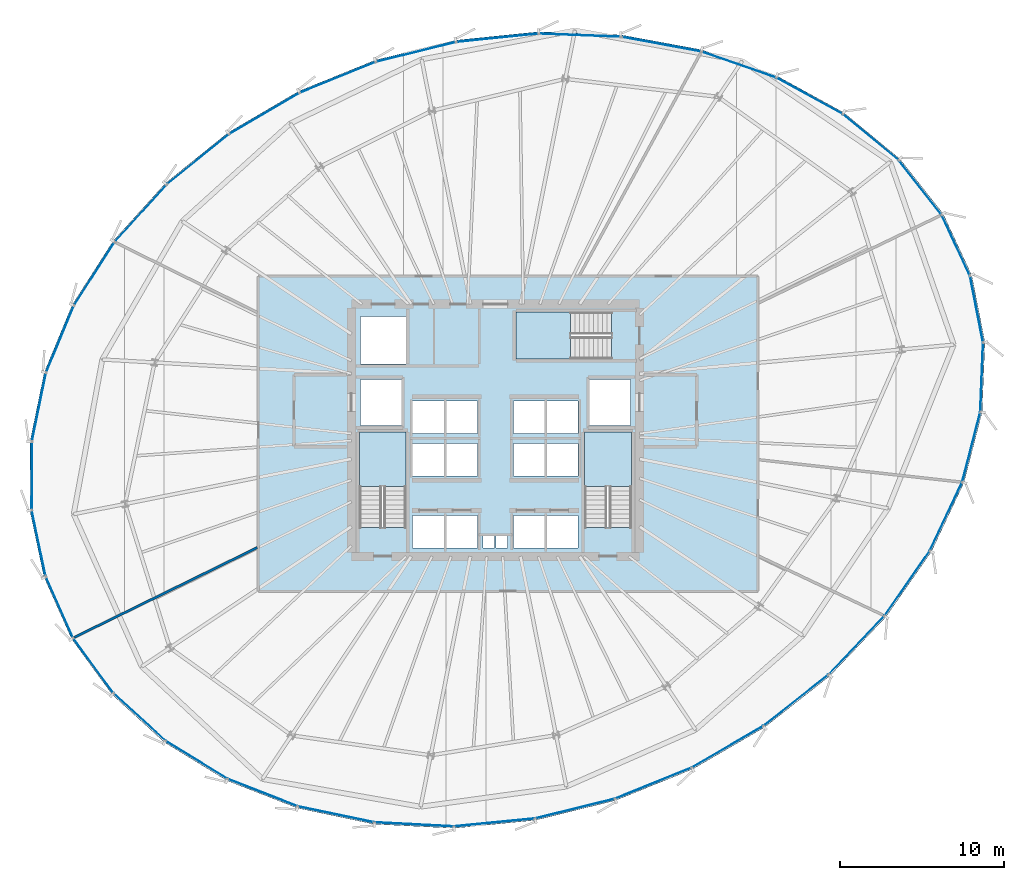
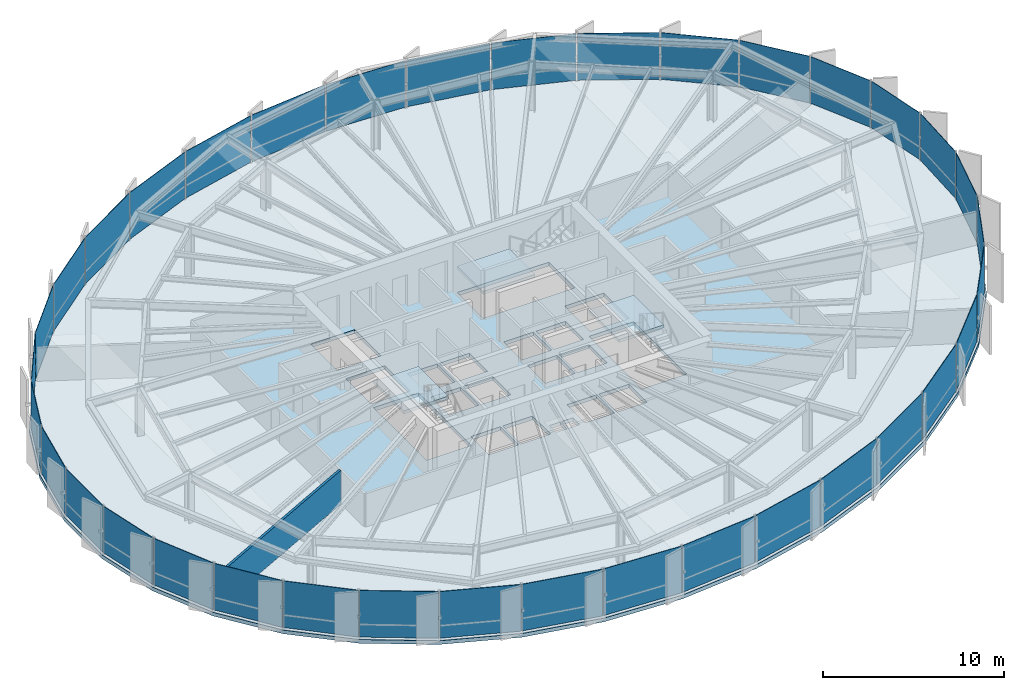
# One storey, part 28 of 35: 36 plates, 4 slabs, 1 wall, 9 elements without a shape of their own.
"""IFC4 building model written with IfcOpenShell, lengths in metres."""

from ifc_helpers import new_model, si_unit, direction, frame, frame_2d, origin, origin_2d, place, context, subcontext, project, spatial, polyline, rectangle, outline, extrude, source, transform, mapped, material, layer, layer_set, type_object, element, aggregate, save


model = new_model("IFC4")

# Units and contexts
model_context = context("Model", 3, precision=1e-05, world=origin(), true_north=direction((0.0, 1.0)))
body_context = subcontext(model_context, "Body", "Model", "MODEL_VIEW")
ifc_project = project(units=[si_unit("LENGTHUNIT", "METRE"), si_unit("AREAUNIT", "SQUARE_METRE"), si_unit("VOLUMEUNIT", "CUBIC_METRE"), si_unit("PLANEANGLEUNIT", "RADIAN"), si_unit("MASSUNIT", "GRAM", prefix="KILO"), si_unit("THERMODYNAMICTEMPERATUREUNIT", "KELVIN")], contexts=[model_context])

# Site, building, storey
site_placement = place(None, origin())
site = spatial("IfcSite", under=ifc_project, at=site_placement, CompositionType="ELEMENT")
building_placement = place(site_placement, origin())
building = spatial("IfcBuilding", under=site, at=building_placement, Name="Kethvar Cultural Tower", CompositionType="ELEMENT")
storey_placement = place(building_placement, frame((0.0, 0.0, 107.199951171875)))
storey = spatial("IfcBuildingStorey", under=building, at=storey_placement, Name="L26", CompositionType="ELEMENT", Elevation=107.199951171875)

# Stair, slab
ifc_material_1 = material(Name="Concrete C40/50", Category="concrete")
stair_type = type_object("IfcStairType", Name="ST-DOGLEG-135", PredefinedType="HALF_TURN_STAIR", material=ifc_material_1)
stair_1_placement = place(storey_placement, origin())
stair_1 = element("IfcStair", 1, at=stair_1_placement, inside=storey, type_object=stair_type, Name="L26 Core Exit Stair 1", PredefinedType="HALF_TURN_STAIR")
ifc_layer_1 = layer(ifc_material_1, 0.199951171875, Name="Concrete C40/50", Category="concrete")
ifc_layer_set_1 = layer_set([ifc_layer_1], Name="Concrete C40/50 (200 mm)")
slab_type_1 = type_object("IfcSlabType", Name="SL-STAIR-LANDING-200", PredefinedType="LANDING", material=ifc_layer_set_1)
slab_1_placement = place(storey_placement, frame((0.0, 0.0, 1.60009765625)))
slab_1 = element("IfcSlab", 2, at=slab_1_placement, type_object=slab_type_1, Name="ST-01 landing 1", PredefinedType="LANDING", context=body_context, shape_type="SweptSolid", body=[
    extrude(outline(polyline([(41.35009765625, 24.3701171875), (41.35009765625, 27.699951171875), (38.489990234375, 27.699951171875), (38.489990234375, 24.3701171875), (41.35009765625, 24.3701171875)])), origin(), (0.0, 0.0, 1.0), 0.199951171875),
])
aggregate(stair_1, [slab_1])

stair_2_placement = place(storey_placement, origin())
stair_2 = element("IfcStair", 3, at=stair_2_placement, inside=storey, type_object=stair_type, Name="L26 Core Exit Stair 2", PredefinedType="HALF_TURN_STAIR")
slab_2_placement = place(storey_placement, frame((0.0, 0.0, 1.60009765625)))
slab_2 = element("IfcSlab", 4, at=slab_2_placement, type_object=slab_type_1, Name="ST-02 landing 1", PredefinedType="LANDING", context=body_context, shape_type="SweptSolid", body=[
    extrude(outline(polyline([(55.110107421875, 24.3701171875), (55.110107421875, 27.699951171875), (52.25, 27.699951171875), (52.25, 24.3701171875), (55.110107421875, 24.3701171875)])), origin(), (0.0, 0.0, 1.0), 0.199951171875),
])
aggregate(stair_2, [slab_2])

stair_3_placement = place(storey_placement, origin())
stair_3 = element("IfcStair", 5, at=stair_3_placement, inside=storey, type_object=stair_type, Name="L26 Core Exit Stair 3", PredefinedType="HALF_TURN_STAIR")
slab_3_placement = place(storey_placement, frame((0.0, 0.0, 1.60009765625)))
slab_3 = element("IfcSlab", 6, at=slab_3_placement, type_object=slab_type_1, Name="ST-03 landing 1", PredefinedType="LANDING", context=body_context, shape_type="SweptSolid", body=[
    extrude(outline(polyline([(51.3798828125, 35.010009765625), (48.050048828125, 35.010009765625), (48.050048828125, 32.14990234375), (51.3798828125, 32.14990234375), (51.3798828125, 35.010009765625)])), origin(), (0.0, 0.0, 1.0), 0.199951171875),
])
aggregate(stair_3, [slab_3])

# Slab
ifc_layer_2 = layer(ifc_material_1, 0.25, Name="Concrete C40/50", Category="concrete")
ifc_layer_set_2 = layer_set([ifc_layer_2], Name="Concrete C40/50 (250 mm)")
slab_type_2 = type_object("IfcSlabType", Name="SL-TOW-250", PredefinedType="FLOOR", material=ifc_layer_set_2)
slab_4_placement = place(storey_placement, frame((0.0, 0.0, -0.25)))
element("IfcSlab", 7, at=slab_4_placement, inside=storey, type_object=slab_type_2, Name="L26 Structural Floor Slab", PredefinedType="FLOOR", context=body_context, shape_type="SweptSolid", body=[
    extrude(outline(polyline([(75.894775390625, 37.25341796875), (74.143310546875, 41.02392578125), (71.500732421875, 44.372802734375), (68.06884765625, 47.205810546875), (63.98291015625, 49.4462890625), (59.401611328125, 51.0380859375), (54.4951171875, 51.9423828125), (49.43310546875, 52.138427734375), (44.374267578125, 51.622314453125), (39.45556640625, 50.40380859375), (34.779296875, 48.504638671875), (30.468017578125, 45.976318359375), (26.653076171875, 42.89599609375), (23.4501953125, 39.356689453125), (20.956787109375, 35.46630859375), (19.248779296875, 31.343017578125), (18.3779296875, 27.1123046875), (18.37060546875, 22.902099609375), (19.226806640625, 18.841064453125), (20.921142578125, 15.052001953125), (23.401611328125, 11.650390625), (26.59326171875, 8.739501953125), (30.398681640625, 6.40771484375), (34.702392578125, 4.725830078125), (39.373779296875, 3.7451171875), (44.27099609375, 3.495361328125), (49.244873046875, 3.98388671875), (54.144287109375, 5.1962890625), (58.83984375, 7.1015625), (63.236083984375, 9.657470703125), (67.216064453125, 12.79150390625), (70.65380859375, 16.406982421875), (73.424560546875, 20.3876953125), (75.4130859375, 24.60205078125), (76.524658203125, 28.910888671875), (76.694091796875, 33.173583984375), (75.894775390625, 37.25341796875)]), holes=[polyline([(38.489990234375, 21.85009765625), (38.489990234375, 27.699951171875), (41.35009765625, 27.699951171875), (41.35009765625, 21.85009765625), (38.489990234375, 21.85009765625)]), polyline([(52.25, 21.85009765625), (52.25, 27.699951171875), (55.110107421875, 27.699951171875), (55.110107421875, 21.85009765625), (52.25, 21.85009765625)]), polyline([(53.89990234375, 32.14990234375), (48.050048828125, 32.14990234375), (48.050048828125, 35.010009765625), (53.89990234375, 35.010009765625), (53.89990234375, 32.14990234375)]), polyline([(41.75, 22.60009765625), (43.64990234375, 22.60009765625), (43.64990234375, 20.60009765625), (41.75, 20.60009765625), (41.75, 22.60009765625)]), polyline([(43.800048828125, 22.60009765625), (45.699951171875, 22.60009765625), (45.699951171875, 20.60009765625), (43.800048828125, 20.60009765625), (43.800048828125, 22.60009765625)]), polyline([(47.89990234375, 22.60009765625), (49.800048828125, 22.60009765625), (49.800048828125, 20.60009765625), (47.89990234375, 20.60009765625), (47.89990234375, 22.60009765625)]), polyline([(49.949951171875, 22.60009765625), (51.85009765625, 22.60009765625), (51.85009765625, 20.60009765625), (49.949951171875, 20.60009765625), (49.949951171875, 22.60009765625)]), polyline([(41.75, 27.0), (43.64990234375, 27.0), (43.64990234375, 25.0), (41.75, 25.0), (41.75, 27.0)]), polyline([(43.800048828125, 27.0), (45.699951171875, 27.0), (45.699951171875, 25.0), (43.800048828125, 25.0), (43.800048828125, 27.0)]), polyline([(47.89990234375, 27.0), (49.800048828125, 27.0), (49.800048828125, 25.0), (47.89990234375, 25.0), (47.89990234375, 27.0)]), polyline([(49.949951171875, 27.0), (51.85009765625, 27.0), (51.85009765625, 25.0), (49.949951171875, 25.0), (49.949951171875, 27.0)]), polyline([(41.75, 29.60009765625), (43.64990234375, 29.60009765625), (43.64990234375, 27.60009765625), (41.75, 27.60009765625), (41.75, 29.60009765625)]), polyline([(43.800048828125, 29.60009765625), (45.699951171875, 29.60009765625), (45.699951171875, 27.60009765625), (43.800048828125, 27.60009765625), (43.800048828125, 29.60009765625)]), polyline([(47.89990234375, 29.60009765625), (49.800048828125, 29.60009765625), (49.800048828125, 27.60009765625), (47.89990234375, 27.60009765625), (47.89990234375, 29.60009765625)]), polyline([(49.949951171875, 29.60009765625), (51.85009765625, 29.60009765625), (51.85009765625, 27.60009765625), (49.949951171875, 27.60009765625), (49.949951171875, 29.60009765625)]), polyline([(38.550048828125, 30.89990234375), (41.050048828125, 30.89990234375), (41.050048828125, 28.10009765625), (38.550048828125, 28.10009765625), (38.550048828125, 30.89990234375)]), polyline([(52.550048828125, 30.89990234375), (55.050048828125, 30.89990234375), (55.050048828125, 28.10009765625), (52.550048828125, 28.10009765625), (52.550048828125, 30.89990234375)]), polyline([(38.550048828125, 34.75), (41.35009765625, 34.75), (41.35009765625, 31.85009765625), (38.550048828125, 31.85009765625), (38.550048828125, 34.75)]), polyline([(46.050048828125, 21.35009765625), (46.75, 21.35009765625), (46.75, 20.60009765625), (46.050048828125, 20.60009765625), (46.050048828125, 21.35009765625)]), polyline([(46.85009765625, 21.35009765625), (47.550048828125, 21.35009765625), (47.550048828125, 20.60009765625), (46.85009765625, 20.60009765625), (46.85009765625, 21.35009765625)])]), origin(), (0.0, 0.0, 1.0), 0.25),
])

# Curtain wall, plate
ifc_material_2 = material(Name="Aluminium 6063-T6", Category="aluminium")
ifc_layer_3 = layer(ifc_material_2, 0.179931640625, Name="Aluminium 6063-T6", Category="aluminium")
ifc_layer_set_3 = layer_set([ifc_layer_3], Name="Aluminium 6063-T6 (180 mm)")
curtain_wall_type = type_object("IfcCurtainWallType", Name="CW-SYS-03-Z2", PredefinedType="NOTDEFINED", material=ifc_layer_set_3)
curtain_wall_1_placement = place(storey_placement, origin())
curtain_wall_1 = element("IfcCurtainWall", 8, at=curtain_wall_1_placement, inside=storey, type_object=curtain_wall_type, Name="L26 Curtain Wall Run 02", PredefinedType="NOTDEFINED")
ifc_material_3 = material(Name="Insulated Low-E Solar Glass", Category="glass")
ifc_layer_4 = layer(ifc_material_3, 0.031982421875, Name="Insulated Low-E Solar Glass", Category="glass")
ifc_layer_set_4 = layer_set([ifc_layer_4], Name="Insulated Low-E Solar Glass (32 mm)")
plate_type = type_object("IfcPlateType", Name="CW-SYS-03-Z2-PNL", PredefinedType="CURTAIN_PANEL", material=ifc_layer_set_4)
shared_shape_1 = source(origin(), body_context, "Body", "SweptSolid", [
    extrude(rectangle(XDim=4.9609375, YDim=0.031982421875, at=origin_2d()), origin(), (0.0, 0.0, 1.0), 3.14990234375),
])
plate_1_placement = place(storey_placement, frame((37.16064453125, 49.34765625, 0.10009765625), z_axis=(0.0, 0.0, 1.0), x_axis=(-0.926515497603, -0.376256604861, 0.0)))
plate_1 = element("IfcPlate", 9, at=plate_1_placement, type_object=plate_type, Name="CW-L26-R02 Vision Glazing Panel 4", PredefinedType="CURTAIN_PANEL", context=body_context, shape_type="MappedRepresentation", body=[
    mapped(shared_shape_1, transform((0.0, 0.0, 0.0), scale=1.0)),
])

curtain_wall_2_placement = place(storey_placement, origin())
curtain_wall_2 = element("IfcCurtainWall", 10, at=curtain_wall_2_placement, inside=storey, type_object=curtain_wall_type, Name="L26 Curtain Wall Run 05", PredefinedType="NOTDEFINED")
plate_2_placement = place(storey_placement, frame((51.6669921875, 4.701904296875, 0.10009765625), z_axis=(0.0, 0.0, 1.0), x_axis=(0.970729058558, 0.240177215552, 0.0)))
plate_2 = element("IfcPlate", 11, at=plate_2_placement, type_object=plate_type, Name="CW-L26-R05 Vision Glazing Panel 3", PredefinedType="CURTAIN_PANEL", context=body_context, shape_type="MappedRepresentation", body=[
    mapped(shared_shape_1, transform((0.0, 0.0, 0.0), scale=1.0)),
])

# Curtain wall, plates
curtain_wall_3_placement = place(storey_placement, origin())
curtain_wall_3 = element("IfcCurtainWall", 12, at=curtain_wall_3_placement, inside=storey, type_object=curtain_wall_type, Name="L26 Curtain Wall Run 01", PredefinedType="NOTDEFINED")
shared_shape_2 = source(origin(), body_context, "Body", "SweptSolid", [
    extrude(rectangle(XDim=4.071044921875, YDim=0.031982421875, at=origin_2d()), origin(), (0.0, 0.0, 1.0), 3.14990234375),
])
plate_3_placement = place(storey_placement, frame((74.914794921875, 39.090087890625, 0.10009765625), z_axis=(0.0, 0.0, 1.0), x_axis=(-0.421273262504, 0.906933756291, 0.0)))
plate_3 = element("IfcPlate", 13, at=plate_3_placement, type_object=plate_type, Name="CW-L26-R01 Vision Glazing Panel 1", PredefinedType="CURTAIN_PANEL", context=body_context, shape_type="MappedRepresentation", body=[
    mapped(shared_shape_2, transform((0.0, 0.0, 0.0), scale=1.0)),
])
shared_shape_3 = source(origin(), body_context, "Body", "SweptSolid", [
    extrude(rectangle(XDim=4.1796875, YDim=0.031982421875, at=origin_2d()), origin(), (0.0, 0.0, 1.0), 3.14990234375),
])
plate_4_placement = place(storey_placement, frame((72.731689453125, 42.627197265625, 0.10009765625), z_axis=(0.0, 0.0, 1.0), x_axis=(-0.619450251074, 0.785035914111, 0.0)))
plate_4 = element("IfcPlate", 14, at=plate_4_placement, type_object=plate_type, Name="CW-L26-R01 Vision Glazing Panel 2", PredefinedType="CURTAIN_PANEL", context=body_context, shape_type="MappedRepresentation", body=[
    mapped(shared_shape_3, transform((0.0, 0.0, 0.0), scale=1.0)),
])

# Curtain wall, plate
curtain_wall_4_placement = place(storey_placement, origin())
curtain_wall_4 = element("IfcCurtainWall", 15, at=curtain_wall_4_placement, inside=storey, type_object=curtain_wall_type, Name="L26 Curtain Wall Run 06", PredefinedType="NOTDEFINED")
plate_5_placement = place(storey_placement, frame((76.494384765625, 31.046875, 0.10009765625), z_axis=(0.0, 0.0, 1.0), x_axis=(0.039713247455, 0.999211117821, 0.0)))
plate_5 = element("IfcPlate", 16, at=plate_5_placement, type_object=plate_type, Name="CW-L26-R06 Vision Glazing Panel 5", PredefinedType="CURTAIN_PANEL", context=body_context, shape_type="MappedRepresentation", body=[
    mapped(shared_shape_3, transform((0.0, 0.0, 0.0), scale=1.0)),
])

# Plate
shared_shape_4 = source(origin(), body_context, "Body", "SweptSolid", [
    extrude(rectangle(XDim=4.36376953125, YDim=0.031982421875, at=origin_2d()), origin(), (0.0, 0.0, 1.0), 3.14990234375),
])
plate_6_placement = place(storey_placement, frame((69.711669921875, 45.70068359375, 0.10009765625), z_axis=(0.0, 0.0, 1.0), x_axis=(-0.771213661132, 0.636576381028, 0.0)))
plate_6 = element("IfcPlate", 17, at=plate_6_placement, type_object=plate_type, Name="CW-L26-R01 Vision Glazing Panel 3", PredefinedType="CURTAIN_PANEL", context=body_context, shape_type="MappedRepresentation", body=[
    mapped(shared_shape_4, transform((0.0, 0.0, 0.0), scale=1.0)),
])

shared_shape_5 = source(origin(), body_context, "Body", "SweptSolid", [
    extrude(rectangle(XDim=4.573486328125, YDim=0.031982421875, at=origin_2d()), origin(), (0.0, 0.0, 1.0), 3.14990234375),
])
plate_7_placement = place(storey_placement, frame((65.970703125, 48.22509765625, 0.10009765625), z_axis=(0.0, 0.0, 1.0), x_axis=(-0.876819082764, 0.480820440602, 0.0)))
plate_7 = element("IfcPlate", 18, at=plate_7_placement, type_object=plate_type, Name="CW-L26-R01 Vision Glazing Panel 4", PredefinedType="CURTAIN_PANEL", context=body_context, shape_type="MappedRepresentation", body=[
    mapped(shared_shape_5, transform((0.0, 0.0, 0.0), scale=1.0)),
])

shared_shape_6 = source(origin(), body_context, "Body", "SweptSolid", [
    extrude(rectangle(XDim=4.763671875, YDim=0.031982421875, at=origin_2d()), origin(), (0.0, 0.0, 1.0), 3.14990234375),
])
plate_8_placement = place(storey_placement, frame((61.654541015625, 50.133544921875, 0.10009765625), z_axis=(0.0, 0.0, 1.0), x_axis=(-0.944611460465, 0.328190781038, 0.0)))
plate_8 = element("IfcPlate", 19, at=plate_8_placement, type_object=plate_type, Name="CW-L26-R01 Vision Glazing Panel 5", PredefinedType="CURTAIN_PANEL", context=body_context, shape_type="MappedRepresentation", body=[
    mapped(shared_shape_6, transform((0.0, 0.0, 0.0), scale=1.0)),
])

shared_shape_7 = source(origin(), body_context, "Body", "SweptSolid", [
    extrude(rectangle(XDim=4.90283203125, YDim=0.031982421875, at=origin_2d()), origin(), (0.0, 0.0, 1.0), 3.14990234375),
])
plate_9_placement = place(storey_placement, frame((56.927490234375, 51.376953125, 0.10009765625), z_axis=(0.0, 0.0, 1.0), x_axis=(-0.983435715736, 0.181257256449, 0.0)))
plate_9 = element("IfcPlate", 20, at=plate_9_placement, type_object=plate_type, Name="CW-L26-R01 Vision Glazing Panel 6", PredefinedType="CURTAIN_PANEL", context=body_context, shape_type="MappedRepresentation", body=[
    mapped(shared_shape_7, transform((0.0, 0.0, 0.0), scale=1.0)),
])

aggregate(curtain_wall_3, [plate_3, plate_4, plate_6, plate_7, plate_8, plate_9])

shared_shape_8 = source(origin(), body_context, "Body", "SweptSolid", [
    extrude(rectangle(XDim=4.979248046875, YDim=0.031982421875, at=origin_2d()), origin(), (0.0, 0.0, 1.0), 3.14990234375),
])
plate_10_placement = place(storey_placement, frame((51.959716796875, 51.925537109375, 0.10009765625), z_axis=(0.0, 0.0, 1.0), x_axis=(-0.999249455659, 0.038736615301, 0.0)))
plate_10 = element("IfcPlate", 21, at=plate_10_placement, type_object=plate_type, Name="CW-L26-R02 Vision Glazing Panel 1", PredefinedType="CURTAIN_PANEL", context=body_context, shape_type="MappedRepresentation", body=[
    mapped(shared_shape_8, transform((0.0, 0.0, 0.0), scale=1.0)),
])

plate_11_placement = place(storey_placement, frame((65.15478515625, 11.314697265625, 0.10009765625), z_axis=(0.0, 0.0, 1.0), x_axis=(0.78565177798, 0.618668961365, 0.0)))
plate_11 = element("IfcPlate", 22, at=plate_11_placement, type_object=plate_type, Name="CW-L26-R05 Vision Glazing Panel 6", PredefinedType="CURTAIN_PANEL", context=body_context, shape_type="MappedRepresentation", body=[
    mapped(shared_shape_8, transform((0.0, 0.0, 0.0), scale=1.0)),
])

shared_shape_9 = source(origin(), body_context, "Body", "SweptSolid", [
    extrude(rectangle(XDim=4.998779296875, YDim=0.031982421875, at=origin_2d()), origin(), (0.0, 0.0, 1.0), 3.14990234375),
])
plate_12_placement = place(storey_placement, frame((46.915283203125, 51.76611328125, 0.10009765625), z_axis=(0.0, 0.0, 1.0), x_axis=(-0.994832976708, -0.101525112434, 0.0)))
plate_12 = element("IfcPlate", 23, at=plate_12_placement, type_object=plate_type, Name="CW-L26-R02 Vision Glazing Panel 2", PredefinedType="CURTAIN_PANEL", context=body_context, shape_type="MappedRepresentation", body=[
    mapped(shared_shape_9, transform((0.0, 0.0, 0.0), scale=1.0)),
])

plate_13_placement = place(storey_placement, frame((60.980224609375, 8.47900390625, 0.10009765625), z_axis=(0.0, 0.0, 1.0), x_axis=(0.864511748547, 0.502612610888, 0.0)))
plate_13 = element("IfcPlate", 24, at=plate_13_placement, type_object=plate_type, Name="CW-L26-R05 Vision Glazing Panel 5", PredefinedType="CURTAIN_PANEL", context=body_context, shape_type="MappedRepresentation", body=[
    mapped(shared_shape_9, transform((0.0, 0.0, 0.0), scale=1.0)),
])

shared_shape_10 = source(origin(), body_context, "Body", "SweptSolid", [
    extrude(rectangle(XDim=4.98095703125, YDim=0.031982421875, at=origin_2d()), origin(), (0.0, 0.0, 1.0), 3.14990234375),
])
plate_14_placement = place(storey_placement, frame((41.942626953125, 50.9013671875, 0.10009765625), z_axis=(0.0, 0.0, 1.0), x_axis=(-0.970657753816, -0.240465226085, 0.0)))
plate_14 = element("IfcPlate", 25, at=plate_14_placement, type_object=plate_type, Name="CW-L26-R02 Vision Glazing Panel 3", PredefinedType="CURTAIN_PANEL", context=body_context, shape_type="MappedRepresentation", body=[
    mapped(shared_shape_10, transform((0.0, 0.0, 0.0), scale=1.0)),
])

plate_15_placement = place(storey_placement, frame((56.448974609375, 6.255615234375, 0.10009765625), z_axis=(0.0, 0.0, 1.0), x_axis=(0.926620532141, 0.375997858257, 0.0)))
plate_15 = element("IfcPlate", 26, at=plate_15_placement, type_object=plate_type, Name="CW-L26-R05 Vision Glazing Panel 4", PredefinedType="CURTAIN_PANEL", context=body_context, shape_type="MappedRepresentation", body=[
    mapped(shared_shape_10, transform((0.0, 0.0, 0.0), scale=1.0)),
])

shared_shape_11 = source(origin(), body_context, "Body", "SweptSolid", [
    extrude(rectangle(XDim=4.911376953125, YDim=0.031982421875, at=origin_2d()), origin(), (0.0, 0.0, 1.0), 3.14990234375),
])
plate_16_placement = place(storey_placement, frame((32.681884765625, 47.141357421875, 0.10009765625), z_axis=(0.0, 0.0, 1.0), x_axis=(-0.862619633753, -0.505853108583, 0.0)))
plate_16 = element("IfcPlate", 27, at=plate_16_placement, type_object=plate_type, Name="CW-L26-R02 Vision Glazing Panel 5", PredefinedType="CURTAIN_PANEL", context=body_context, shape_type="MappedRepresentation", body=[
    mapped(shared_shape_11, transform((0.0, 0.0, 0.0), scale=1.0)),
])

shared_shape_12 = source(origin(), body_context, "Body", "SweptSolid", [
    extrude(rectangle(XDim=4.81689453125, YDim=0.031982421875, at=origin_2d()), origin(), (0.0, 0.0, 1.0), 3.14990234375),
])
plate_17_placement = place(storey_placement, frame((28.6328125, 44.3466796875, 0.10009765625), z_axis=(0.0, 0.0, 1.0), x_axis=(-0.778023900658, -0.628234677493, 0.0)))
plate_17 = element("IfcPlate", 28, at=plate_17_placement, type_object=plate_type, Name="CW-L26-R02 Vision Glazing Panel 6", PredefinedType="CURTAIN_PANEL", context=body_context, shape_type="MappedRepresentation", body=[
    mapped(shared_shape_12, transform((0.0, 0.0, 0.0), scale=1.0)),
])

aggregate(curtain_wall_1, [plate_10, plate_12, plate_14, plate_1, plate_16, plate_17])

plate_18_placement = place(storey_placement, frame((41.828125, 3.735107421875, 0.10009765625), z_axis=(0.0, 0.0, 1.0), x_axis=(0.998701636071, -0.050941555809, 0.0)))
plate_18 = element("IfcPlate", 29, at=plate_18_placement, type_object=plate_type, Name="CW-L26-R05 Vision Glazing Panel 1", PredefinedType="CURTAIN_PANEL", context=body_context, shape_type="MappedRepresentation", body=[
    mapped(shared_shape_12, transform((0.0, 0.0, 0.0), scale=1.0)),
])

# Curtain wall, plate
curtain_wall_5_placement = place(storey_placement, origin())
curtain_wall_5 = element("IfcCurtainWall", 30, at=curtain_wall_5_placement, inside=storey, type_object=curtain_wall_type, Name="L26 Curtain Wall Run 03", PredefinedType="NOTDEFINED")
shared_shape_13 = source(origin(), body_context, "Body", "SweptSolid", [
    extrude(rectangle(XDim=4.686767578125, YDim=0.031982421875, at=origin_2d()), origin(), (0.0, 0.0, 1.0), 3.14990234375),
])
plate_19_placement = place(storey_placement, frame((25.136962890625, 41.049072265625, 0.10009765625), z_axis=(0.0, 0.0, 1.0), x_axis=(-0.670996217756, -0.741460771557, 0.0)))
plate_19 = element("IfcPlate", 31, at=plate_19_placement, type_object=plate_type, Name="CW-L26-R03 Vision Glazing Panel 1", PredefinedType="CURTAIN_PANEL", context=body_context, shape_type="MappedRepresentation", body=[
    mapped(shared_shape_13, transform((0.0, 0.0, 0.0), scale=1.0)),
])

curtain_wall_6_placement = place(storey_placement, origin())
curtain_wall_6 = element("IfcCurtainWall", 32, at=curtain_wall_6_placement, inside=storey, type_object=curtain_wall_type, Name="L26 Curtain Wall Run 04", PredefinedType="NOTDEFINED")
plate_20_placement = place(storey_placement, frame((37.061767578125, 4.347900390625, 0.10009765625), z_axis=(0.0, 0.0, 1.0), x_axis=(0.97866705, -0.205452683711, 0.0)))
plate_20 = element("IfcPlate", 33, at=plate_20_placement, type_object=plate_type, Name="CW-L26-R04 Vision Glazing Panel 6", PredefinedType="CURTAIN_PANEL", context=body_context, shape_type="MappedRepresentation", body=[
    mapped(shared_shape_13, transform((0.0, 0.0, 0.0), scale=1.0)),
])

# Plate
shared_shape_14 = source(origin(), body_context, "Body", "SweptSolid", [
    extrude(rectangle(XDim=4.534423828125, YDim=0.031982421875, at=origin_2d()), origin(), (0.0, 0.0, 1.0), 3.14990234375),
])
plate_21_placement = place(storey_placement, frame((22.30029296875, 37.349609375, 0.10009765625), z_axis=(0.0, 0.0, 1.0), x_axis=(-0.539593927352, -0.841925408552, 0.0)))
plate_21 = element("IfcPlate", 34, at=plate_21_placement, type_object=plate_type, Name="CW-L26-R03 Vision Glazing Panel 2", PredefinedType="CURTAIN_PANEL", context=body_context, shape_type="MappedRepresentation", body=[
    mapped(shared_shape_14, transform((0.0, 0.0, 0.0), scale=1.0)),
])

shared_shape_15 = source(origin(), body_context, "Body", "SweptSolid", [
    extrude(rectangle(XDim=4.376708984375, YDim=0.031982421875, at=origin_2d()), origin(), (0.0, 0.0, 1.0), 3.14990234375),
])
plate_22_placement = place(storey_placement, frame((20.208984375, 33.360595703125, 0.10009765625), z_axis=(0.0, 0.0, 1.0), x_axis=(-0.382715681611, -0.923866173777, 0.0)))
plate_22 = element("IfcPlate", 35, at=plate_22_placement, type_object=plate_type, Name="CW-L26-R03 Vision Glazing Panel 3", PredefinedType="CURTAIN_PANEL", context=body_context, shape_type="MappedRepresentation", body=[
    mapped(shared_shape_15, transform((0.0, 0.0, 0.0), scale=1.0)),
])

plate_23_placement = place(storey_placement, frame((28.555908203125, 7.67138671875, 0.10009765625), z_axis=(0.0, 0.0, 1.0), x_axis=(0.852658402475, -0.522468801641, 0.0)))
plate_23 = element("IfcPlate", 36, at=plate_23_placement, type_object=plate_type, Name="CW-L26-R04 Vision Glazing Panel 4", PredefinedType="CURTAIN_PANEL", context=body_context, shape_type="MappedRepresentation", body=[
    mapped(shared_shape_15, transform((0.0, 0.0, 0.0), scale=1.0)),
])

shared_shape_16 = source(origin(), body_context, "Body", "SweptSolid", [
    extrude(rectangle(XDim=4.233154296875, YDim=0.031982421875, at=origin_2d()), origin(), (0.0, 0.0, 1.0), 3.14990234375),
])
plate_24_placement = place(storey_placement, frame((18.926025390625, 29.20458984375, 0.10009765625), z_axis=(0.0, 0.0, 1.0), x_axis=(-0.201607892903, -0.9794663126, 0.0)))
plate_24 = element("IfcPlate", 37, at=plate_24_placement, type_object=plate_type, Name="CW-L26-R03 Vision Glazing Panel 4", PredefinedType="CURTAIN_PANEL", context=body_context, shape_type="MappedRepresentation", body=[
    mapped(shared_shape_16, transform((0.0, 0.0, 0.0), scale=1.0)),
])

plate_25_placement = place(storey_placement, frame((25.074951171875, 10.27978515625, 0.10009765625), z_axis=(0.0, 0.0, 1.0), x_axis=(0.738843588416, -0.673876956021, 0.0)))
plate_25 = element("IfcPlate", 38, at=plate_25_placement, type_object=plate_type, Name="CW-L26-R04 Vision Glazing Panel 3", PredefinedType="CURTAIN_PANEL", context=body_context, shape_type="MappedRepresentation", body=[
    mapped(shared_shape_16, transform((0.0, 0.0, 0.0), scale=1.0)),
])

shared_shape_17 = source(origin(), body_context, "Body", "SweptSolid", [
    extrude(rectangle(XDim=4.12353515625, YDim=0.031982421875, at=origin_2d()), origin(), (0.0, 0.0, 1.0), 3.14990234375),
])
plate_26_placement = place(storey_placement, frame((18.4892578125, 25.007080078125, 0.10009765625), z_axis=(0.0, 0.0, 1.0), x_axis=(-0.001762781632, -0.999998446299, 0.0)))
plate_26 = element("IfcPlate", 39, at=plate_26_placement, type_object=plate_type, Name="CW-L26-R03 Vision Glazing Panel 5", PredefinedType="CURTAIN_PANEL", context=body_context, shape_type="MappedRepresentation", body=[
    mapped(shared_shape_17, transform((0.0, 0.0, 0.0), scale=1.0)),
])

shared_shape_18 = source(origin(), body_context, "Body", "SweptSolid", [
    extrude(rectangle(XDim=4.064208984375, YDim=0.031982421875, at=origin_2d()), origin(), (0.0, 0.0, 1.0), 3.14990234375),
])
plate_27_placement = place(storey_placement, frame((18.9111328125, 20.8955078125, 0.10009765625), z_axis=(0.0, 0.0, 1.0), x_axis=(0.206340809015, -0.978480184028, 0.0)))
plate_27 = element("IfcPlate", 40, at=plate_27_placement, type_object=plate_type, Name="CW-L26-R03 Vision Glazing Panel 6", PredefinedType="CURTAIN_PANEL", context=body_context, shape_type="MappedRepresentation", body=[
    mapped(shared_shape_18, transform((0.0, 0.0, 0.0), scale=1.0)),
])

aggregate(curtain_wall_5, [plate_19, plate_21, plate_22, plate_24, plate_26, plate_27])

plate_28_placement = place(storey_placement, frame((20.178955078125, 16.993408203125, 0.10009765625), z_axis=(0.0, 0.0, 1.0), x_axis=(0.408203000706, -0.912891182023, 0.0)))
plate_28 = element("IfcPlate", 41, at=plate_28_placement, type_object=plate_type, Name="CW-L26-R04 Vision Glazing Panel 1", PredefinedType="CURTAIN_PANEL", context=body_context, shape_type="MappedRepresentation", body=[
    mapped(shared_shape_18, transform((0.0, 0.0, 0.0), scale=1.0)),
])

shared_shape_19 = source(origin(), body_context, "Body", "SweptSolid", [
    extrude(rectangle(XDim=4.123779296875, YDim=0.031982421875, at=origin_2d()), origin(), (0.0, 0.0, 1.0), 3.14990234375),
])
plate_29_placement = place(storey_placement, frame((22.25439453125, 13.4189453125, 0.10009765625), z_axis=(0.0, 0.0, 1.0), x_axis=(0.58918225518, -0.808000167191, 0.0)))
plate_29 = element("IfcPlate", 42, at=plate_29_placement, type_object=plate_type, Name="CW-L26-R04 Vision Glazing Panel 2", PredefinedType="CURTAIN_PANEL", context=body_context, shape_type="MappedRepresentation", body=[
    mapped(shared_shape_19, transform((0.0, 0.0, 0.0), scale=1.0)),
])

shared_shape_20 = source(origin(), body_context, "Body", "SweptSolid", [
    extrude(rectangle(XDim=4.5341796875, YDim=0.031982421875, at=origin_2d()), origin(), (0.0, 0.0, 1.0), 3.14990234375),
])
plate_30_placement = place(storey_placement, frame((32.59228515625, 5.673828125, 0.10009765625), z_axis=(0.0, 0.0, 1.0), x_axis=(0.931411995966, -0.36396661079, 0.0)))
plate_30 = element("IfcPlate", 43, at=plate_30_placement, type_object=plate_type, Name="CW-L26-R04 Vision Glazing Panel 5", PredefinedType="CURTAIN_PANEL", context=body_context, shape_type="MappedRepresentation", body=[
    mapped(shared_shape_20, transform((0.0, 0.0, 0.0), scale=1.0)),
])

aggregate(curtain_wall_6, [plate_28, plate_29, plate_25, plate_23, plate_30, plate_20])

shared_shape_21 = source(origin(), body_context, "Body", "SweptSolid", [
    extrude(rectangle(XDim=4.91162109375, YDim=0.031982421875, at=origin_2d()), origin(), (0.0, 0.0, 1.0), 3.14990234375),
])
plate_31_placement = place(storey_placement, frame((46.74658203125, 3.85400390625, 0.10009765625), z_axis=(0.0, 0.0, 1.0), x_axis=(0.995208647069, 0.097773967904, 0.0)))
plate_31 = element("IfcPlate", 44, at=plate_31_placement, type_object=plate_type, Name="CW-L26-R05 Vision Glazing Panel 2", PredefinedType="CURTAIN_PANEL", context=body_context, shape_type="MappedRepresentation", body=[
    mapped(shared_shape_21, transform((0.0, 0.0, 0.0), scale=1.0)),
])

aggregate(curtain_wall_2, [plate_18, plate_31, plate_2, plate_15, plate_13, plate_11])

shared_shape_22 = source(origin(), body_context, "Body", "SweptSolid", [
    extrude(rectangle(XDim=4.902587890625, YDim=0.031982421875, at=origin_2d()), origin(), (0.0, 0.0, 1.0), 3.14990234375),
])
plate_32_placement = place(storey_placement, frame((68.8515625, 14.678466796875, 0.10009765625), z_axis=(0.0, 0.0, 1.0), x_axis=(0.689063216376, 0.724701237641, 0.0)))
plate_32 = element("IfcPlate", 45, at=plate_32_placement, type_object=plate_type, Name="CW-L26-R06 Vision Glazing Panel 1", PredefinedType="CURTAIN_PANEL", context=body_context, shape_type="MappedRepresentation", body=[
    mapped(shared_shape_22, transform((0.0, 0.0, 0.0), scale=1.0)),
])

shared_shape_23 = source(origin(), body_context, "Body", "SweptSolid", [
    extrude(rectangle(XDim=4.763427734375, YDim=0.031982421875, at=origin_2d()), origin(), (0.0, 0.0, 1.0), 3.14990234375),
])
plate_33_placement = place(storey_placement, frame((71.94482421875, 18.462890625, 0.10009765625), z_axis=(0.0, 0.0, 1.0), x_axis=(0.571315348104, 0.820730633656, 0.0)))
plate_33 = element("IfcPlate", 46, at=plate_33_placement, type_object=plate_type, Name="CW-L26-R06 Vision Glazing Panel 2", PredefinedType="CURTAIN_PANEL", context=body_context, shape_type="MappedRepresentation", body=[
    mapped(shared_shape_23, transform((0.0, 0.0, 0.0), scale=1.0)),
])

shared_shape_24 = source(origin(), body_context, "Body", "SweptSolid", [
    extrude(rectangle(XDim=4.57373046875, YDim=0.031982421875, at=origin_2d()), origin(), (0.0, 0.0, 1.0), 3.14990234375),
])
plate_34_placement = place(storey_placement, frame((74.31494140625, 22.543701171875, 0.10009765625), z_axis=(0.0, 0.0, 1.0), x_axis=(0.426742374961, 0.904373233467, 0.0)))
plate_34 = element("IfcPlate", 47, at=plate_34_placement, type_object=plate_type, Name="CW-L26-R06 Vision Glazing Panel 3", PredefinedType="CURTAIN_PANEL", context=body_context, shape_type="MappedRepresentation", body=[
    mapped(shared_shape_24, transform((0.0, 0.0, 0.0), scale=1.0)),
])

shared_shape_25 = source(origin(), body_context, "Body", "SweptSolid", [
    extrude(rectangle(XDim=4.363525390625, YDim=0.031982421875, at=origin_2d()), origin(), (0.0, 0.0, 1.0), 3.14990234375),
])
plate_35_placement = place(storey_placement, frame((75.857666015625, 26.78515625, 0.10009765625), z_axis=(0.0, 0.0, 1.0), x_axis=(0.249771649569, 0.968304767659, 0.0)))
plate_35 = element("IfcPlate", 48, at=plate_35_placement, type_object=plate_type, Name="CW-L26-R06 Vision Glazing Panel 4", PredefinedType="CURTAIN_PANEL", context=body_context, shape_type="MappedRepresentation", body=[
    mapped(shared_shape_25, transform((0.0, 0.0, 0.0), scale=1.0)),
])

shared_shape_26 = source(origin(), body_context, "Body", "SweptSolid", [
    extrude(rectangle(XDim=4.07080078125, YDim=0.031982421875, at=origin_2d()), origin(), (0.0, 0.0, 1.0), 3.14990234375),
])
plate_36_placement = place(storey_placement, frame((76.181640625, 35.19140625, 0.10009765625), z_axis=(0.0, 0.0, 1.0), x_axis=(-0.192265058113, 0.981343032496, 0.0)))
plate_36 = element("IfcPlate", 49, at=plate_36_placement, type_object=plate_type, Name="CW-L26-R06 Vision Glazing Panel 6", PredefinedType="CURTAIN_PANEL", context=body_context, shape_type="MappedRepresentation", body=[
    mapped(shared_shape_26, transform((0.0, 0.0, 0.0), scale=1.0)),
])

aggregate(curtain_wall_4, [plate_32, plate_33, plate_34, plate_35, plate_5, plate_36])

# Wall
ifc_material_4 = material(Name="Gypsum Acoustic Partition")
ifc_layer_5 = layer(ifc_material_4, 0.14990234375, Name="Gypsum Acoustic Partition")
ifc_layer_set_5 = layer_set([ifc_layer_5], Name="Gypsum Acoustic Partition (150 mm)")
wall_type = type_object("IfcWallType", Name="WL-PART-150", PredefinedType="PARTITIONING", material=ifc_layer_set_5)
wall_placement = place(storey_placement, frame((32.25830078125, 20.63671875, 0.0), z_axis=(0.0, 0.0, 1.0), x_axis=(-0.897759490266, -0.440485978933, 0.0)))
element("IfcWall", 50, at=wall_placement, inside=storey, type_object=wall_type, Name="L26 Radial Partition Wall 01", PredefinedType="PARTITIONING", context=body_context, shape_type="SweptSolid", body=[
    extrude(rectangle(XDim=12.419677734375, YDim=0.14990234375, at=frame_2d((6.2099609375, 0.0))), origin(), (0.0, 0.0, 1.0), 2.280029296875),
])

save(model, "model.ifc")
